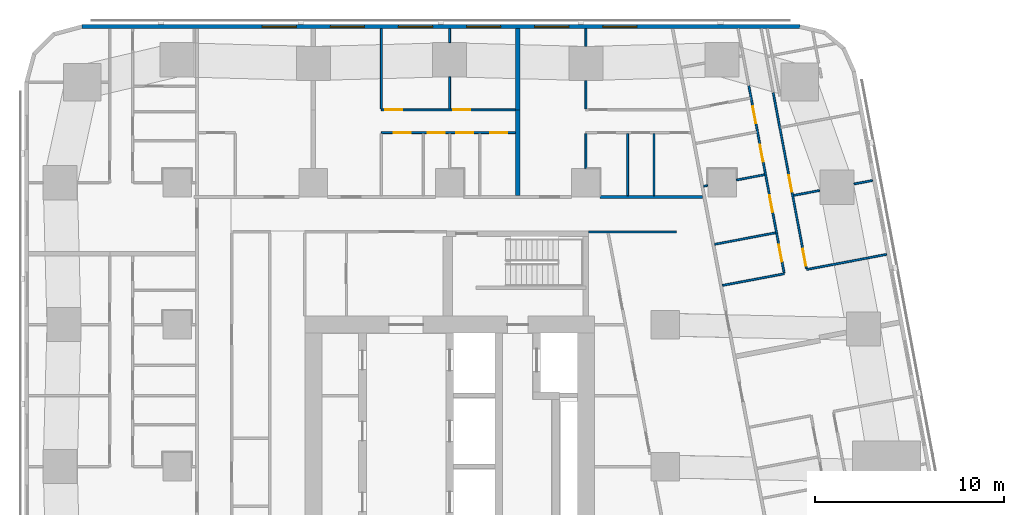
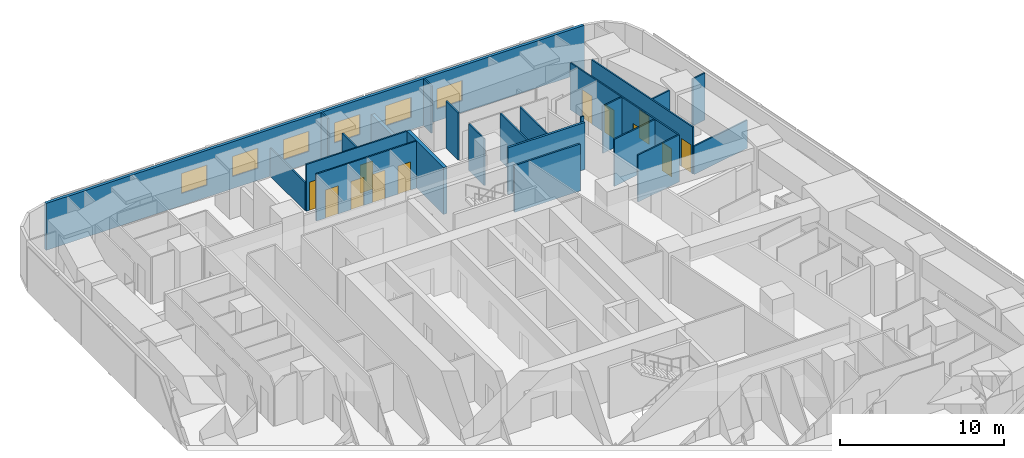
# One storey, part 10 of 15: 24 walls, 12 doors, 6 windows, 18 openings.
"""IFC4 building model written with IfcOpenShell, lengths in metres."""

from ifc_helpers import new_model, si_unit, direction, frame, frame_2d, origin, place, context, subcontext, project, spatial, rectangle, extrude, material, layer, layer_set, type_object, element, fill, save


model = new_model("IFC4")

# Units and contexts
model_context = context("Model", 3, precision=1e-05, world=origin(), true_north=direction((0.0, 1.0)))
body_context = subcontext(model_context, "Body", "Model", "MODEL_VIEW")
ifc_project = project(units=[si_unit("LENGTHUNIT", "METRE"), si_unit("AREAUNIT", "SQUARE_METRE"), si_unit("VOLUMEUNIT", "CUBIC_METRE"), si_unit("PLANEANGLEUNIT", "RADIAN"), si_unit("MASSUNIT", "GRAM", prefix="KILO")], contexts=[model_context])

# Site, building, storey
site_placement = place(None, origin())
site = spatial("IfcSite", under=ifc_project, at=site_placement, CompositionType="ELEMENT")
building_placement = place(site_placement, origin())
building = spatial("IfcBuilding", under=site, at=building_placement, Name="Sheger Commons Tower", CompositionType="ELEMENT")
storey_placement = place(building_placement, frame((0.0, 0.0, 147.050048828125)))
storey = spatial("IfcBuildingStorey", under=building, at=storey_placement, Name="L37", CompositionType="ELEMENT", Elevation=147.050048828125)

# Walls
ifc_material_1 = material(Name="Hollow concrete block masonry, skimmed both sides", Category="masonry")
ifc_layer_1 = layer(ifc_material_1, 0.14990234375)
ifc_layer_set_1 = layer_set([ifc_layer_1], Name="CORRIDOR WALL 150")
wall_type_1 = type_object("IfcWallType", Name="CORRIDOR WALL 150", PredefinedType="SOLIDWALL", material=ifc_layer_set_1)
wall_1_placement = place(storey_placement, frame((29.551025390625, 36.75, 0.0), z_axis=(0.0, 0.0, 1.0), x_axis=(1.0, 0.0, 0.0)))
element("IfcWall", 1, at=wall_1_placement, inside=storey, type_object=wall_type_1, Name="Corridor wall L37", PredefinedType="SOLIDWALL", context=body_context, shape_type="SweptSolid", body=[
    extrude(rectangle(XDim=5.421875, YDim=0.14990234375, at=frame_2d((2.7109375, 0.0))), origin(), (0.0, 0.0, 1.0), 3.5),
])
ifc_material_2 = material(Name="Dense concrete block masonry, plastered both sides (separating wall between flats)", Category="masonry")
ifc_layer_2 = layer(ifc_material_2, 0.25)
ifc_layer_set_2 = layer_set([ifc_layer_2], Name="DEMISING WALL 250")
wall_type_2 = type_object("IfcWallType", Name="DEMISING WALL 250", PredefinedType="SOLIDWALL", material=ifc_layer_set_2)
wall_2_placement = place(storey_placement, frame((25.199951171875, 41.35009765625, 0.0), z_axis=(0.0, 0.0, 1.0), x_axis=(0.0, 1.0, 0.0)))
element("IfcWall", 2, at=wall_2_placement, inside=storey, type_object=wall_type_2, Name="Demising wall L37", PredefinedType="SOLIDWALL", context=body_context, shape_type="SweptSolid", body=[
    extrude(rectangle(XDim=4.2998046875, YDim=0.25, at=frame_2d((2.14990234375, 0.0))), origin(), (0.0, 0.0, 1.0), 2.099853515625),
])
wall_3_placement = place(storey_placement, frame((25.199951171875, 36.824951171875, 0.0), z_axis=(0.0, 0.0, 1.0), x_axis=(0.0, 1.0, 0.0)))
element("IfcWall", 3, at=wall_3_placement, inside=storey, type_object=wall_type_2, Name="Demising wall L37", PredefinedType="SOLIDWALL", context=body_context, shape_type="SweptSolid", body=[
    extrude(rectangle(XDim=4.525146484375, YDim=0.25, at=frame_2d((2.2626953125, 0.0))), origin(), (0.0, 0.0, 1.0), 3.5),
])

# Wall, openings, windows
ifc_material_3 = material(Name="Rendered concrete block masonry, dark grey", Category="masonry")
ifc_layer_3 = layer(ifc_material_3, 0.199951171875)
ifc_layer_set_3 = layer_set([ifc_layer_3], Name="FACADE WALL 200")
wall_type_3 = type_object("IfcWallType", Name="FACADE WALL 200", PredefinedType="SOLIDWALL", material=ifc_layer_set_3)
wall_4_placement = place(storey_placement, frame((40.10595703125, 45.75, 0.0), z_axis=(0.0, 0.0, 1.0), x_axis=(-1.0, 0.0, 0.0)))
wall_4 = element("IfcWall", 4, at=wall_4_placement, inside=storey, type_object=wall_type_3, Name="Facade wall L37", PredefinedType="SOLIDWALL", context=body_context, shape_type="SweptSolid", body=[
    extrude(rectangle(XDim=37.94287109375, YDim=0.199951171875, at=frame_2d((18.971435546875, 0.0))), origin(), (0.0, 0.0, 1.0), 3.5),
])
opening_1_placement = place(wall_4_placement, frame((8.60595703125, 0.0, 0.89990234375)))
opening_1 = element("IfcOpeningElement", 5, at=opening_1_placement, cuts=wall_4, Name="Opening W2", PredefinedType="OPENING", context=body_context, shape_type="SweptSolid", body=[
    extrude(rectangle(XDim=1.800048828125, YDim=1.5, at=frame_2d((0.89990234375, 0.75))), frame((0.0, 0.10986328125, 0.0), z_axis=(0.0, -1.0, 0.0), x_axis=(1.0, 0.0, 0.0)), (0.0, 0.0, 1.0), 0.219970703125),
])
opening_2_placement = place(wall_4_placement, frame((12.2060546875, 0.0, 0.89990234375)))
opening_2 = element("IfcOpeningElement", 6, at=opening_2_placement, cuts=wall_4, Name="Opening W2", PredefinedType="OPENING", context=body_context, shape_type="SweptSolid", body=[
    extrude(rectangle(XDim=1.800048828125, YDim=1.5, at=frame_2d((0.89990234375, 0.75))), frame((0.0, 0.10986328125, 0.0), z_axis=(0.0, -1.0, 0.0), x_axis=(1.0, 0.0, 0.0)), (0.0, 0.0, 1.0), 0.219970703125),
])
opening_3_placement = place(wall_4_placement, frame((15.805908203125, 0.0, 0.89990234375)))
opening_3 = element("IfcOpeningElement", 7, at=opening_3_placement, cuts=wall_4, Name="Opening W2", PredefinedType="OPENING", context=body_context, shape_type="SweptSolid", body=[
    extrude(rectangle(XDim=1.800048828125, YDim=1.5, at=frame_2d((0.89990234375, 0.75))), frame((0.0, 0.10986328125, 0.0), z_axis=(0.0, -1.0, 0.0), x_axis=(1.0, 0.0, 0.0)), (0.0, 0.0, 1.0), 0.219970703125),
])
opening_4_placement = place(wall_4_placement, frame((19.406005859375, 0.0, 0.89990234375)))
opening_4 = element("IfcOpeningElement", 8, at=opening_4_placement, cuts=wall_4, Name="Opening W2", PredefinedType="OPENING", context=body_context, shape_type="SweptSolid", body=[
    extrude(rectangle(XDim=1.800048828125, YDim=1.5, at=frame_2d((0.89990234375, 0.75))), frame((0.0, 0.10986328125, 0.0), z_axis=(0.0, -1.0, 0.0), x_axis=(1.0, 0.0, 0.0)), (0.0, 0.0, 1.0), 0.219970703125),
])
opening_5_placement = place(wall_4_placement, frame((23.006103515625, 0.0, 0.89990234375)))
opening_5 = element("IfcOpeningElement", 9, at=opening_5_placement, cuts=wall_4, Name="Opening W2", PredefinedType="OPENING", context=body_context, shape_type="SweptSolid", body=[
    extrude(rectangle(XDim=1.800048828125, YDim=1.5, at=frame_2d((0.89990234375, 0.75))), frame((0.0, 0.10986328125, 0.0), z_axis=(0.0, -1.0, 0.0), x_axis=(1.0, 0.0, 0.0)), (0.0, 0.0, 1.0), 0.219970703125),
])
opening_6_placement = place(wall_4_placement, frame((26.60595703125, 0.0, 0.89990234375)))
opening_6 = element("IfcOpeningElement", 10, at=opening_6_placement, cuts=wall_4, Name="Opening W2", PredefinedType="OPENING", context=body_context, shape_type="SweptSolid", body=[
    extrude(rectangle(XDim=1.800048828125, YDim=1.5, at=frame_2d((0.89990234375, 0.75))), frame((0.0, 0.10986328125, 0.0), z_axis=(0.0, -1.0, 0.0), x_axis=(1.0, 0.0, 0.0)), (0.0, 0.0, 1.0), 0.219970703125),
])
ifc_material_4 = material(Name="Black aluminium frame, dark tinted double glazing", Category="aluminium")
window_type = type_object("IfcWindowType", Name="WINDOW W2 1800x1500", PartitioningType="SINGLE_PANEL", PredefinedType="WINDOW", material=ifc_material_4)
window_1_placement = place(opening_1_placement, origin())
window_1 = element("IfcWindow", 11, at=window_1_placement, inside=storey, type_object=window_type, Name="Window W2 1800X1500", OverallHeight=1.5, OverallWidth=1.800048828125, PartitioningType="SINGLE_PANEL", PredefinedType="WINDOW", context=body_context, shape_type="SweptSolid", body=[
    extrude(rectangle(XDim=1.800048828125, YDim=1.5, at=frame_2d((0.89990234375, 0.75))), frame((0.0, 0.030029296875, 0.0), z_axis=(0.0, -1.0, 0.0), x_axis=(1.0, 0.0, 0.0)), (0.0, 0.0, 1.0), 0.06005859375),
])
fill(opening_1, window_1)
window_2_placement = place(opening_2_placement, origin())
window_2 = element("IfcWindow", 12, at=window_2_placement, inside=storey, type_object=window_type, Name="Window W2 1800X1500", OverallHeight=1.5, OverallWidth=1.800048828125, PartitioningType="SINGLE_PANEL", PredefinedType="WINDOW", context=body_context, shape_type="SweptSolid", body=[
    extrude(rectangle(XDim=1.800048828125, YDim=1.5, at=frame_2d((0.89990234375, 0.75))), frame((0.0, 0.030029296875, 0.0), z_axis=(0.0, -1.0, 0.0), x_axis=(1.0, 0.0, 0.0)), (0.0, 0.0, 1.0), 0.06005859375),
])
fill(opening_2, window_2)
window_3_placement = place(opening_3_placement, origin())
window_3 = element("IfcWindow", 13, at=window_3_placement, inside=storey, type_object=window_type, Name="Window W2 1800X1500", OverallHeight=1.5, OverallWidth=1.800048828125, PartitioningType="SINGLE_PANEL", PredefinedType="WINDOW", context=body_context, shape_type="SweptSolid", body=[
    extrude(rectangle(XDim=1.800048828125, YDim=1.5, at=frame_2d((0.89990234375, 0.75))), frame((0.0, 0.030029296875, 0.0), z_axis=(0.0, -1.0, 0.0), x_axis=(1.0, 0.0, 0.0)), (0.0, 0.0, 1.0), 0.06005859375),
])
fill(opening_3, window_3)
window_4_placement = place(opening_4_placement, origin())
window_4 = element("IfcWindow", 14, at=window_4_placement, inside=storey, type_object=window_type, Name="Window W2 1800X1500", OverallHeight=1.5, OverallWidth=1.800048828125, PartitioningType="SINGLE_PANEL", PredefinedType="WINDOW", context=body_context, shape_type="SweptSolid", body=[
    extrude(rectangle(XDim=1.800048828125, YDim=1.5, at=frame_2d((0.89990234375, 0.75))), frame((0.0, 0.030029296875, 0.0), z_axis=(0.0, -1.0, 0.0), x_axis=(1.0, 0.0, 0.0)), (0.0, 0.0, 1.0), 0.06005859375),
])
fill(opening_4, window_4)
window_5_placement = place(opening_5_placement, origin())
window_5 = element("IfcWindow", 15, at=window_5_placement, inside=storey, type_object=window_type, Name="Window W2 1800X1500", OverallHeight=1.5, OverallWidth=1.800048828125, PartitioningType="SINGLE_PANEL", PredefinedType="WINDOW", context=body_context, shape_type="SweptSolid", body=[
    extrude(rectangle(XDim=1.800048828125, YDim=1.5, at=frame_2d((0.89990234375, 0.75))), frame((0.0, 0.030029296875, 0.0), z_axis=(0.0, -1.0, 0.0), x_axis=(1.0, 0.0, 0.0)), (0.0, 0.0, 1.0), 0.06005859375),
])
fill(opening_5, window_5)
window_6_placement = place(opening_6_placement, origin())
window_6 = element("IfcWindow", 16, at=window_6_placement, inside=storey, type_object=window_type, Name="Window W2 1800X1500", OverallHeight=1.5, OverallWidth=1.800048828125, PartitioningType="SINGLE_PANEL", PredefinedType="WINDOW", context=body_context, shape_type="SweptSolid", body=[
    extrude(rectangle(XDim=1.800048828125, YDim=1.5, at=frame_2d((0.89990234375, 0.75))), frame((0.0, 0.030029296875, 0.0), z_axis=(0.0, -1.0, 0.0), x_axis=(1.0, 0.0, 0.0)), (0.0, 0.0, 1.0), 0.06005859375),
])
fill(opening_6, window_6)

# Wall, openings, doors
ifc_material_5 = material(Name="Gypsum board on steel studs", Category="steel")
ifc_layer_4 = layer(ifc_material_5, 0.10009765625)
ifc_layer_set_4 = layer_set([ifc_layer_4], Name="PARTITION 100")
wall_type_4 = type_object("IfcWallType", Name="PARTITION 100", PredefinedType="PARTITIONING", material=ifc_layer_set_4)
wall_5_placement = place(storey_placement, frame((38.700927734375, 42.27001953125, 0.0), z_axis=(0.0, 0.0, 1.0), x_axis=(0.185634707842, -0.982618825, 0.0)))
wall_5 = element("IfcWall", 17, at=wall_5_placement, inside=storey, type_object=wall_type_4, Name="Partition L37", PredefinedType="PARTITIONING", context=body_context, shape_type="SweptSolid", body=[
    extrude(rectangle(XDim=9.470458984375, YDim=0.10009765625, at=frame_2d((4.7353515625, 0.0))), origin(), (0.0, 0.0, 1.0), 3.5),
])
opening_7_placement = place(wall_5_placement, frame((8.419921875, 0.0, 0.0)))
opening_7 = element("IfcOpeningElement", 18, at=opening_7_placement, cuts=wall_5, Name="Opening D2", PredefinedType="OPENING", context=body_context, shape_type="SweptSolid", body=[
    extrude(rectangle(XDim=0.89990234375, YDim=2.10009765625, at=frame_2d((0.449951171875, 1.050048828125))), frame((0.0, 0.06005859375, 0.0), z_axis=(0.0, -1.0, 0.0), x_axis=(1.0, 0.0, 0.0)), (0.0, 0.0, 1.0), 0.1201171875),
])
opening_8_placement = place(wall_5_placement, frame((4.444091796875, 0.0, 0.0)))
opening_8 = element("IfcOpeningElement", 19, at=opening_8_placement, cuts=wall_5, Name="Opening D2", PredefinedType="OPENING", context=body_context, shape_type="SweptSolid", body=[
    extrude(rectangle(XDim=0.89990234375, YDim=2.10009765625, at=frame_2d((0.449951171875, 1.050048828125))), frame((0.0, 0.06005859375, 0.0), z_axis=(0.0, -1.0, 0.0), x_axis=(1.0, 0.0, 0.0)), (0.0, 0.0, 1.0), 0.1201171875),
])
ifc_material_6 = material(Name="Timber door set", Category="wood")
door_type = type_object("IfcDoorType", Name="INTERNAL DOOR 900x2100", OperationType="NOTDEFINED", PredefinedType="DOOR", material=ifc_material_6)
door_1_placement = place(opening_7_placement, origin())
door_1 = element("IfcDoor", 20, at=door_1_placement, inside=storey, type_object=door_type, Name="Main bedroom door", OperationType="SINGLE_SWING_RIGHT", OverallHeight=2.10009765625, OverallWidth=0.89990234375, PredefinedType="DOOR", context=body_context, shape_type="SweptSolid", body=[
    extrude(rectangle(XDim=0.89990234375, YDim=2.10009765625, at=frame_2d((0.449951171875, 1.050048828125))), frame((0.0, 0.02490234375, 0.0), z_axis=(0.0, -1.0, 0.0), x_axis=(1.0, 0.0, 0.0)), (0.0, 0.0, 1.0), 0.050048828125),
])
fill(opening_7, door_1)
door_2_placement = place(opening_8_placement, origin())
door_2 = element("IfcDoor", 21, at=door_2_placement, inside=storey, type_object=door_type, Name="Bedroom 2 door", OperationType="SINGLE_SWING_RIGHT", OverallHeight=2.10009765625, OverallWidth=0.89990234375, PredefinedType="DOOR", context=body_context, shape_type="SweptSolid", body=[
    extrude(rectangle(XDim=0.89990234375, YDim=2.10009765625, at=frame_2d((0.449951171875, 1.050048828125))), frame((0.0, 0.02490234375, 0.0), z_axis=(0.0, -1.0, 0.0), x_axis=(1.0, 0.0, 0.0)), (0.0, 0.0, 1.0), 0.050048828125),
])
fill(opening_8, door_2)

wall_6_placement = place(storey_placement, frame((37.410888671875, 42.637939453125, 0.0), z_axis=(0.0, 0.0, 1.0), x_axis=(0.185485587071, -0.982646984928, 0.0)))
wall_6 = element("IfcWall", 22, at=wall_6_placement, inside=storey, type_object=wall_type_4, Name="Partition L37", PredefinedType="PARTITIONING", context=body_context, shape_type="SweptSolid", body=[
    extrude(rectangle(XDim=10.07177734375, YDim=0.10009765625, at=frame_2d((5.035888671875, 0.0))), origin(), (0.0, 0.0, 1.0), 3.5),
])
opening_9_placement = place(wall_6_placement, frame((8.56689453125, 0.0, 0.0)))
opening_9 = element("IfcOpeningElement", 23, at=opening_9_placement, cuts=wall_6, Name="Opening D2", PredefinedType="OPENING", context=body_context, shape_type="SweptSolid", body=[
    extrude(rectangle(XDim=0.89990234375, YDim=2.10009765625, at=frame_2d((0.449951171875, 1.050048828125))), frame((0.0, 0.06005859375, 0.0), z_axis=(0.0, -1.0, 0.0), x_axis=(1.0, 0.0, 0.0)), (0.0, 0.0, 1.0), 0.1201171875),
])
opening_10_placement = place(wall_6_placement, frame((3.18798828125, 0.0, 0.0)))
opening_10 = element("IfcOpeningElement", 24, at=opening_10_placement, cuts=wall_6, Name="Opening D2", PredefinedType="OPENING", context=body_context, shape_type="SweptSolid", body=[
    extrude(rectangle(XDim=0.89990234375, YDim=2.10009765625, at=frame_2d((0.449951171875, 1.050048828125))), frame((0.0, 0.06005859375, 0.0), z_axis=(0.0, -1.0, 0.0), x_axis=(1.0, 0.0, 0.0)), (0.0, 0.0, 1.0), 0.1201171875),
])
opening_11_placement = place(wall_6_placement, frame((1.12890625, 0.0, 0.0)))
opening_11 = element("IfcOpeningElement", 25, at=opening_11_placement, cuts=wall_6, Name="Opening D2", PredefinedType="OPENING", context=body_context, shape_type="SweptSolid", body=[
    extrude(rectangle(XDim=0.89990234375, YDim=2.10009765625, at=frame_2d((0.449951171875, 1.050048828125))), frame((0.0, 0.06005859375, 0.0), z_axis=(0.0, -1.0, 0.0), x_axis=(1.0, 0.0, 0.0)), (0.0, 0.0, 1.0), 0.1201171875),
])
opening_12_placement = place(wall_6_placement, frame((5.89892578125, 0.0, 0.0)))
opening_12 = element("IfcOpeningElement", 26, at=opening_12_placement, cuts=wall_6, Name="Opening D2", PredefinedType="OPENING", context=body_context, shape_type="SweptSolid", body=[
    extrude(rectangle(XDim=0.89990234375, YDim=2.10009765625, at=frame_2d((0.449951171875, 1.050048828125))), frame((0.0, 0.06005859375, 0.0), z_axis=(0.0, -1.0, 0.0), x_axis=(1.0, 0.0, 0.0)), (0.0, 0.0, 1.0), 0.1201171875),
])
door_3_placement = place(opening_9_placement, origin())
door_3 = element("IfcDoor", 27, at=door_3_placement, inside=storey, type_object=door_type, Name="Bathroom door", OperationType="SINGLE_SWING_LEFT", OverallHeight=2.10009765625, OverallWidth=0.89990234375, PredefinedType="DOOR", context=body_context, shape_type="SweptSolid", body=[
    extrude(rectangle(XDim=0.89990234375, YDim=2.10009765625, at=frame_2d((0.449951171875, 1.050048828125))), frame((0.0, 0.02490234375, 0.0), z_axis=(0.0, -1.0, 0.0), x_axis=(1.0, 0.0, 0.0)), (0.0, 0.0, 1.0), 0.050048828125),
])
fill(opening_9, door_3)
door_4_placement = place(opening_10_placement, origin())
door_4 = element("IfcDoor", 28, at=door_4_placement, inside=storey, type_object=door_type, Name="Laundry room door", OperationType="SINGLE_SWING_RIGHT", OverallHeight=2.10009765625, OverallWidth=0.89990234375, PredefinedType="DOOR", context=body_context, shape_type="SweptSolid", body=[
    extrude(rectangle(XDim=0.89990234375, YDim=2.10009765625, at=frame_2d((0.449951171875, 1.050048828125))), frame((0.0, 0.02490234375, 0.0), z_axis=(0.0, -1.0, 0.0), x_axis=(1.0, 0.0, 0.0)), (0.0, 0.0, 1.0), 0.050048828125),
])
fill(opening_10, door_4)
door_5_placement = place(opening_11_placement, origin())
door_5 = element("IfcDoor", 29, at=door_5_placement, inside=storey, type_object=door_type, Name="Laundry room door", OperationType="SINGLE_SWING_RIGHT", OverallHeight=2.10009765625, OverallWidth=0.89990234375, PredefinedType="DOOR", context=body_context, shape_type="SweptSolid", body=[
    extrude(rectangle(XDim=0.89990234375, YDim=2.10009765625, at=frame_2d((0.449951171875, 1.050048828125))), frame((0.0, 0.02490234375, 0.0), z_axis=(0.0, -1.0, 0.0), x_axis=(1.0, 0.0, 0.0)), (0.0, 0.0, 1.0), 0.050048828125),
])
fill(opening_11, door_5)
door_6_placement = place(opening_12_placement, origin())
door_6 = element("IfcDoor", 30, at=door_6_placement, inside=storey, type_object=door_type, Name="Store door", OperationType="SINGLE_SWING_LEFT", OverallHeight=2.10009765625, OverallWidth=0.89990234375, PredefinedType="DOOR", context=body_context, shape_type="SweptSolid", body=[
    extrude(rectangle(XDim=0.89990234375, YDim=2.10009765625, at=frame_2d((0.449951171875, 1.050048828125))), frame((0.0, 0.02490234375, 0.0), z_axis=(0.0, -1.0, 0.0), x_axis=(1.0, 0.0, 0.0)), (0.0, 0.0, 1.0), 0.050048828125),
])
fill(opening_12, door_6)

# Walls
wall_7_placement = place(storey_placement, frame((43.955078125, 37.6201171875, 0.0), z_axis=(0.0, 0.0, 1.0), x_axis=(-0.982666697719, -0.185381124159, 0.0)))
element("IfcWall", 31, at=wall_7_placement, inside=storey, type_object=wall_type_4, Name="Partition L37", PredefinedType="PARTITIONING", context=body_context, shape_type="SweptSolid", body=[
    extrude(rectangle(XDim=0.998291015625, YDim=0.10009765625, at=frame_2d((0.4990234375, 0.0))), origin(), (0.0, 0.0, 1.0), 3.5),
])
wall_8_placement = place(storey_placement, frame((41.154052734375, 37.091064453125, 0.0), z_axis=(0.0, 0.0, 1.0), x_axis=(-0.982586605669, -0.185805173125, 0.0)))
element("IfcWall", 32, at=wall_8_placement, inside=storey, type_object=wall_type_4, Name="Partition L37", PredefinedType="PARTITIONING", context=body_context, shape_type="SweptSolid", body=[
    extrude(rectangle(XDim=1.3994140625, YDim=0.10009765625, at=frame_2d((0.69970703125, 0.0))), origin(), (0.0, 0.0, 1.0), 3.5),
])
wall_9_placement = place(storey_placement, frame((44.693115234375, 33.712890625, 0.0), z_axis=(0.0, 0.0, 1.0), x_axis=(-0.982633535512, -0.185556823879, 0.0)))
element("IfcWall", 33, at=wall_9_placement, inside=storey, type_object=wall_type_4, Name="Partition L37", PredefinedType="PARTITIONING", context=body_context, shape_type="SweptSolid", body=[
    extrude(rectangle(XDim=4.2998046875, YDim=0.10009765625, at=frame_2d((2.14990234375, 0.0))), origin(), (0.0, 0.0, 1.0), 2.099853515625),
])
wall_10_placement = place(storey_placement, frame((38.25, 37.925048828125, 0.0), z_axis=(0.0, 0.0, 1.0), x_axis=(-0.982676595259, -0.18532865167, 0.0)))
element("IfcWall", 34, at=wall_10_placement, inside=storey, type_object=wall_type_4, Name="Partition L37", PredefinedType="PARTITIONING", context=body_context, shape_type="SweptSolid", body=[
    extrude(rectangle(XDim=1.516357421875, YDim=0.10009765625, at=frame_2d((0.75830078125, 0.0))), origin(), (0.0, 0.0, 1.0), 3.5),
])
wall_11_placement = place(storey_placement, frame((35.239990234375, 37.35595703125, 0.0), z_axis=(0.0, 0.0, 1.0), x_axis=(-0.982819911474, -0.184567119526, 0.0)))
element("IfcWall", 35, at=wall_11_placement, inside=storey, type_object=wall_type_4, Name="Partition L37", PredefinedType="PARTITIONING", context=body_context, shape_type="SweptSolid", body=[
    extrude(rectangle(XDim=0.211669921875, YDim=0.10009765625, at=frame_2d((0.10595703125, 0.0))), origin(), (0.0, 0.0, 1.0), 3.5),
])
wall_12_placement = place(storey_placement, frame((39.2890625, 32.69189453125, 0.0), z_axis=(0.0, 0.0, 1.0), x_axis=(-0.982633623707, -0.185556356831, 0.0)))
element("IfcWall", 36, at=wall_12_placement, inside=storey, type_object=wall_type_4, Name="Partition L37", PredefinedType="PARTITIONING", context=body_context, shape_type="SweptSolid", body=[
    extrude(rectangle(XDim=3.324951171875, YDim=0.10009765625, at=frame_2d((1.66259765625, 0.0))), origin(), (0.0, 0.0, 1.0), 3.5),
])
wall_13_placement = place(storey_placement, frame((38.8291015625, 34.85498046875, 0.0), z_axis=(0.0, 0.0, 1.0), x_axis=(-0.982610347627, -0.185679575441, 0.0)))
element("IfcWall", 37, at=wall_13_placement, inside=storey, type_object=wall_type_4, Name="Partition L37", PredefinedType="PARTITIONING", context=body_context, shape_type="SweptSolid", body=[
    extrude(rectangle(XDim=3.27392578125, YDim=0.10009765625, at=frame_2d((1.636962890625, 0.0))), origin(), (0.0, 0.0, 1.0), 3.5),
])

# Wall, openings, doors
wall_14_placement = place(storey_placement, frame((18.0, 41.35009765625, 0.0), z_axis=(0.0, 0.0, 1.0), x_axis=(1.0, 0.0, 0.0)))
wall_14 = element("IfcWall", 38, at=wall_14_placement, inside=storey, type_object=wall_type_4, Name="Partition L37", PredefinedType="PARTITIONING", context=body_context, shape_type="SweptSolid", body=[
    extrude(rectangle(XDim=7.074951171875, YDim=0.10009765625, at=frame_2d((3.53759765625, 0.0))), origin(), (0.0, 0.0, 1.0), 3.5),
])
opening_13_placement = place(wall_14_placement, frame((0.199951171875, 0.0, 0.0)))
opening_13 = element("IfcOpeningElement", 39, at=opening_13_placement, cuts=wall_14, Name="Opening D2", PredefinedType="OPENING", context=body_context, shape_type="SweptSolid", body=[
    extrude(rectangle(XDim=0.89990234375, YDim=2.10009765625, at=frame_2d((0.449951171875, 1.050048828125))), frame((0.0, 0.06005859375, 0.0), z_axis=(0.0, -1.0, 0.0), x_axis=(1.0, 0.0, 0.0)), (0.0, 0.0, 1.0), 0.1201171875),
])
opening_14_placement = place(wall_14_placement, frame((3.800048828125, 0.0, 0.0)))
opening_14 = element("IfcOpeningElement", 40, at=opening_14_placement, cuts=wall_14, Name="Opening D2", PredefinedType="OPENING", context=body_context, shape_type="SweptSolid", body=[
    extrude(rectangle(XDim=0.89990234375, YDim=2.10009765625, at=frame_2d((0.449951171875, 1.050048828125))), frame((0.0, 0.06005859375, 0.0), z_axis=(0.0, -1.0, 0.0), x_axis=(1.0, 0.0, 0.0)), (0.0, 0.0, 1.0), 0.1201171875),
])
door_7_placement = place(opening_13_placement, origin())
door_7 = element("IfcDoor", 41, at=door_7_placement, inside=storey, type_object=door_type, Name="Main bedroom door", OperationType="SINGLE_SWING_LEFT", OverallHeight=2.10009765625, OverallWidth=0.89990234375, PredefinedType="DOOR", context=body_context, shape_type="SweptSolid", body=[
    extrude(rectangle(XDim=0.89990234375, YDim=2.10009765625, at=frame_2d((0.449951171875, 1.050048828125))), frame((0.0, 0.02490234375, 0.0), z_axis=(0.0, -1.0, 0.0), x_axis=(1.0, 0.0, 0.0)), (0.0, 0.0, 1.0), 0.050048828125),
])
fill(opening_13, door_7)
door_8_placement = place(opening_14_placement, origin())
door_8 = element("IfcDoor", 42, at=door_8_placement, inside=storey, type_object=door_type, Name="Bedroom 2 door", OperationType="SINGLE_SWING_LEFT", OverallHeight=2.10009765625, OverallWidth=0.89990234375, PredefinedType="DOOR", context=body_context, shape_type="SweptSolid", body=[
    extrude(rectangle(XDim=0.89990234375, YDim=2.10009765625, at=frame_2d((0.449951171875, 1.050048828125))), frame((0.0, 0.02490234375, 0.0), z_axis=(0.0, -1.0, 0.0), x_axis=(1.0, 0.0, 0.0)), (0.0, 0.0, 1.0), 0.050048828125),
])
fill(opening_14, door_8)

wall_15_placement = place(storey_placement, frame((18.0, 40.14990234375, 0.0), z_axis=(0.0, 0.0, 1.0), x_axis=(1.0, 0.0, 0.0)))
wall_15 = element("IfcWall", 43, at=wall_15_placement, inside=storey, type_object=wall_type_4, Name="Partition L37", PredefinedType="PARTITIONING", context=body_context, shape_type="SweptSolid", body=[
    extrude(rectangle(XDim=7.074951171875, YDim=0.10009765625, at=frame_2d((3.53759765625, 0.0))), origin(), (0.0, 0.0, 1.0), 3.5),
])
opening_15_placement = place(wall_15_placement, frame((0.655029296875, 0.0, 0.0)))
opening_15 = element("IfcOpeningElement", 44, at=opening_15_placement, cuts=wall_15, Name="Opening D2", PredefinedType="OPENING", context=body_context, shape_type="SweptSolid", body=[
    extrude(rectangle(XDim=0.89990234375, YDim=2.10009765625, at=frame_2d((0.449951171875, 1.050048828125))), frame((0.0, 0.06005859375, 0.0), z_axis=(0.0, -1.0, 0.0), x_axis=(1.0, 0.0, 0.0)), (0.0, 0.0, 1.0), 0.1201171875),
])
opening_16_placement = place(wall_15_placement, frame((3.949951171875, 0.0, 0.0)))
opening_16 = element("IfcOpeningElement", 45, at=opening_16_placement, cuts=wall_15, Name="Opening D2", PredefinedType="OPENING", context=body_context, shape_type="SweptSolid", body=[
    extrude(rectangle(XDim=0.89990234375, YDim=2.10009765625, at=frame_2d((0.449951171875, 1.050048828125))), frame((0.0, 0.06005859375, 0.0), z_axis=(0.0, -1.0, 0.0), x_axis=(1.0, 0.0, 0.0)), (0.0, 0.0, 1.0), 0.1201171875),
])
opening_17_placement = place(wall_15_placement, frame((2.455078125, 0.0, 0.0)))
opening_17 = element("IfcOpeningElement", 46, at=opening_17_placement, cuts=wall_15, Name="Opening D2", PredefinedType="OPENING", context=body_context, shape_type="SweptSolid", body=[
    extrude(rectangle(XDim=0.89990234375, YDim=2.10009765625, at=frame_2d((0.449951171875, 1.050048828125))), frame((0.0, 0.06005859375, 0.0), z_axis=(0.0, -1.0, 0.0), x_axis=(1.0, 0.0, 0.0)), (0.0, 0.0, 1.0), 0.1201171875),
])
opening_18_placement = place(wall_15_placement, frame((5.75, 0.0, 0.0)))
opening_18 = element("IfcOpeningElement", 47, at=opening_18_placement, cuts=wall_15, Name="Opening D2", PredefinedType="OPENING", context=body_context, shape_type="SweptSolid", body=[
    extrude(rectangle(XDim=0.89990234375, YDim=2.10009765625, at=frame_2d((0.449951171875, 1.050048828125))), frame((0.0, 0.06005859375, 0.0), z_axis=(0.0, -1.0, 0.0), x_axis=(1.0, 0.0, 0.0)), (0.0, 0.0, 1.0), 0.1201171875),
])
door_9_placement = place(opening_15_placement, origin())
door_9 = element("IfcDoor", 48, at=door_9_placement, inside=storey, type_object=door_type, Name="Bathroom door", OperationType="SINGLE_SWING_RIGHT", OverallHeight=2.10009765625, OverallWidth=0.89990234375, PredefinedType="DOOR", context=body_context, shape_type="SweptSolid", body=[
    extrude(rectangle(XDim=0.89990234375, YDim=2.10009765625, at=frame_2d((0.449951171875, 1.050048828125))), frame((0.0, 0.02490234375, 0.0), z_axis=(0.0, -1.0, 0.0), x_axis=(1.0, 0.0, 0.0)), (0.0, 0.0, 1.0), 0.050048828125),
])
fill(opening_15, door_9)
door_10_placement = place(opening_16_placement, origin())
door_10 = element("IfcDoor", 49, at=door_10_placement, inside=storey, type_object=door_type, Name="Shower room door", OperationType="SINGLE_SWING_RIGHT", OverallHeight=2.10009765625, OverallWidth=0.89990234375, PredefinedType="DOOR", context=body_context, shape_type="SweptSolid", body=[
    extrude(rectangle(XDim=0.89990234375, YDim=2.10009765625, at=frame_2d((0.449951171875, 1.050048828125))), frame((0.0, 0.02490234375, 0.0), z_axis=(0.0, -1.0, 0.0), x_axis=(1.0, 0.0, 0.0)), (0.0, 0.0, 1.0), 0.050048828125),
])
fill(opening_16, door_10)
door_11_placement = place(opening_17_placement, origin())
door_11 = element("IfcDoor", 50, at=door_11_placement, inside=storey, type_object=door_type, Name="Store door", OperationType="SINGLE_SWING_RIGHT", OverallHeight=2.10009765625, OverallWidth=0.89990234375, PredefinedType="DOOR", context=body_context, shape_type="SweptSolid", body=[
    extrude(rectangle(XDim=0.89990234375, YDim=2.10009765625, at=frame_2d((0.449951171875, 1.050048828125))), frame((0.0, 0.02490234375, 0.0), z_axis=(0.0, -1.0, 0.0), x_axis=(1.0, 0.0, 0.0)), (0.0, 0.0, 1.0), 0.050048828125),
])
fill(opening_17, door_11)
door_12_placement = place(opening_18_placement, origin())
door_12 = element("IfcDoor", 51, at=door_12_placement, inside=storey, type_object=door_type, Name="Store door", OperationType="SINGLE_SWING_LEFT", OverallHeight=2.10009765625, OverallWidth=0.89990234375, PredefinedType="DOOR", context=body_context, shape_type="SweptSolid", body=[
    extrude(rectangle(XDim=0.89990234375, YDim=2.10009765625, at=frame_2d((0.449951171875, 1.050048828125))), frame((0.0, 0.02490234375, 0.0), z_axis=(0.0, -1.0, 0.0), x_axis=(1.0, 0.0, 0.0)), (0.0, 0.0, 1.0), 0.050048828125),
])
fill(opening_18, door_12)

# Walls
wall_16_placement = place(storey_placement, frame((18.0, 41.39990234375, 0.0), z_axis=(0.0, 0.0, 1.0), x_axis=(0.0, 1.0, 0.0)))
element("IfcWall", 52, at=wall_16_placement, inside=storey, type_object=wall_type_4, Name="Partition L37", PredefinedType="PARTITIONING", context=body_context, shape_type="SweptSolid", body=[
    extrude(rectangle(XDim=4.25, YDim=0.10009765625, at=frame_2d((2.125, 0.0))), origin(), (0.0, 0.0, 1.0), 2.099853515625),
])
wall_17_placement = place(storey_placement, frame((21.60009765625, 41.39990234375, 0.0), z_axis=(0.0, 0.0, 1.0), x_axis=(0.0, 1.0, 0.0)))
element("IfcWall", 53, at=wall_17_placement, inside=storey, type_object=wall_type_4, Name="Partition L37", PredefinedType="PARTITIONING", context=body_context, shape_type="SweptSolid", body=[
    extrude(rectangle(XDim=1.69921875, YDim=0.10009765625, at=frame_2d((0.849609375, 0.0))), origin(), (0.0, 0.0, 1.0), 3.5),
])
wall_18_placement = place(storey_placement, frame((21.60009765625, 44.90087890625, 0.0), z_axis=(0.0, 0.0, 1.0), x_axis=(0.0, 1.0, 0.0)))
element("IfcWall", 54, at=wall_18_placement, inside=storey, type_object=wall_type_4, Name="Partition L37", PredefinedType="PARTITIONING", context=body_context, shape_type="SweptSolid", body=[
    extrude(rectangle(XDim=0.7490234375, YDim=0.10009765625, at=frame_2d((0.37451171875, 0.0))), origin(), (0.0, 0.0, 1.0), 3.5),
])
wall_19_placement = place(storey_placement, frame((28.800048828125, 41.39990234375, 0.0), z_axis=(0.0, 0.0, 1.0), x_axis=(0.0, 1.0, 0.0)))
element("IfcWall", 55, at=wall_19_placement, inside=storey, type_object=wall_type_4, Name="Partition L37", PredefinedType="PARTITIONING", context=body_context, shape_type="SweptSolid", body=[
    extrude(rectangle(XDim=1.4990234375, YDim=0.10009765625, at=frame_2d((0.74951171875, 0.0))), origin(), (0.0, 0.0, 1.0), 3.5),
])
wall_20_placement = place(storey_placement, frame((28.800048828125, 44.700927734375, 0.0), z_axis=(0.0, 0.0, 1.0), x_axis=(0.0, 1.0, 0.0)))
element("IfcWall", 56, at=wall_20_placement, inside=storey, type_object=wall_type_4, Name="Partition L37", PredefinedType="PARTITIONING", context=body_context, shape_type="SweptSolid", body=[
    extrude(rectangle(XDim=0.948974609375, YDim=0.10009765625, at=frame_2d((0.474609375, 0.0))), origin(), (0.0, 0.0, 1.0), 3.5),
])
wall_21_placement = place(storey_placement, frame((28.800048828125, 38.2509765625, 0.0), z_axis=(0.0, 0.0, 1.0), x_axis=(0.0, 1.0, 0.0)))
element("IfcWall", 57, at=wall_21_placement, inside=storey, type_object=wall_type_4, Name="Partition L37", PredefinedType="PARTITIONING", context=body_context, shape_type="SweptSolid", body=[
    extrude(rectangle(XDim=1.84912109375, YDim=0.10009765625, at=frame_2d((0.924560546875, 0.0))), origin(), (0.0, 0.0, 1.0), 3.5),
])
for number, where, z_axis, x_axis, name in (
    (58, (32.39990234375, 36.824951171875, 0.0), (0.0, 0.0, 1.0), (0.0, 1.0, 0.0), "Partition L37"),
    (59, (31.010009765625, 36.824951171875, 0.0), (0.0, 0.0, 1.0), (0.0, 1.0, 0.0), "Partition L37"),
):
    element("IfcWall", number, at=place(storey_placement, frame(where, z_axis=z_axis, x_axis=x_axis)), inside=storey, type_object=wall_type_4, Name=name, PredefinedType="PARTITIONING", context=body_context, shape_type="SweptSolid", body=[
        extrude(rectangle(XDim=3.275146484375, YDim=0.10009765625, at=frame_2d((1.6376953125, 0.0))), origin(), (0.0, 0.0, 1.0), 3.5),
    ])
ifc_material_7 = material(Name="Gypsum board on steel studs, two layers each side, fire rated", Category="steel")
ifc_layer_5 = layer(ifc_material_7, 0.125)
ifc_layer_set_5 = layer_set([ifc_layer_5], Name="SERVICE WALL 125")
wall_type_5 = type_object("IfcWallType", Name="SERVICE WALL 125", PredefinedType="PARTITIONING", material=ifc_layer_set_5)
wall_22_placement = place(storey_placement, frame((28.949951171875, 34.89990234375, 0.0), z_axis=(0.0, 0.0, 1.0), x_axis=(1.0, 0.0, 0.0)))
element("IfcWall", 60, at=wall_22_placement, inside=storey, type_object=wall_type_5, Name="Service room wall L37", PredefinedType="PARTITIONING", context=body_context, shape_type="SweptSolid", body=[
    extrude(rectangle(XDim=4.630126953125, YDim=0.125, at=frame_2d((2.31494140625, 0.0))), origin(), (0.0, 0.0, 1.0), 3.5),
])

save(model, "model.ifc")
